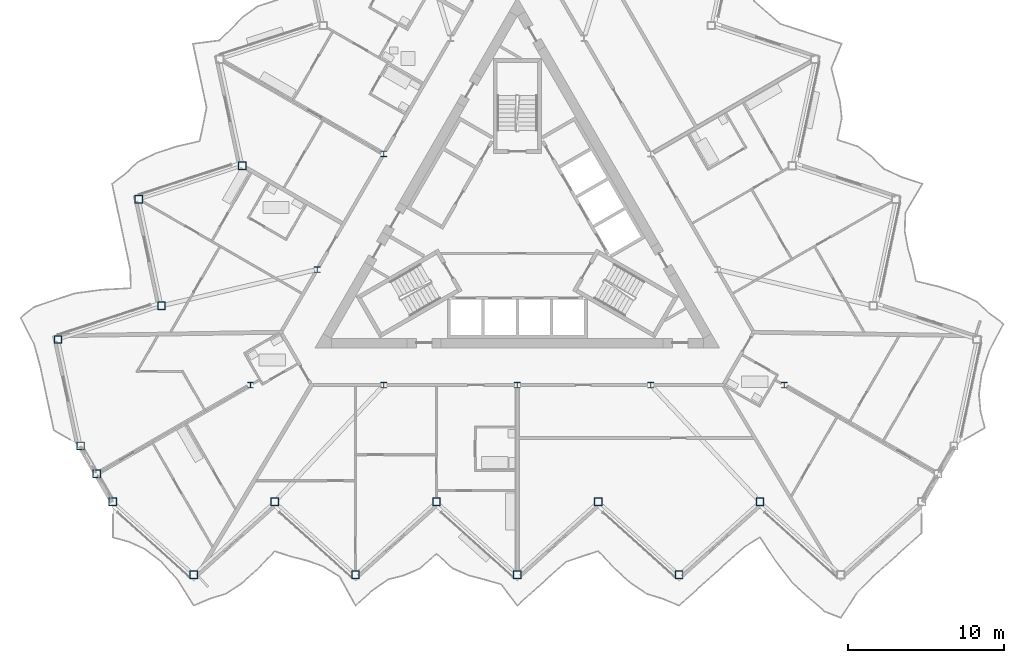
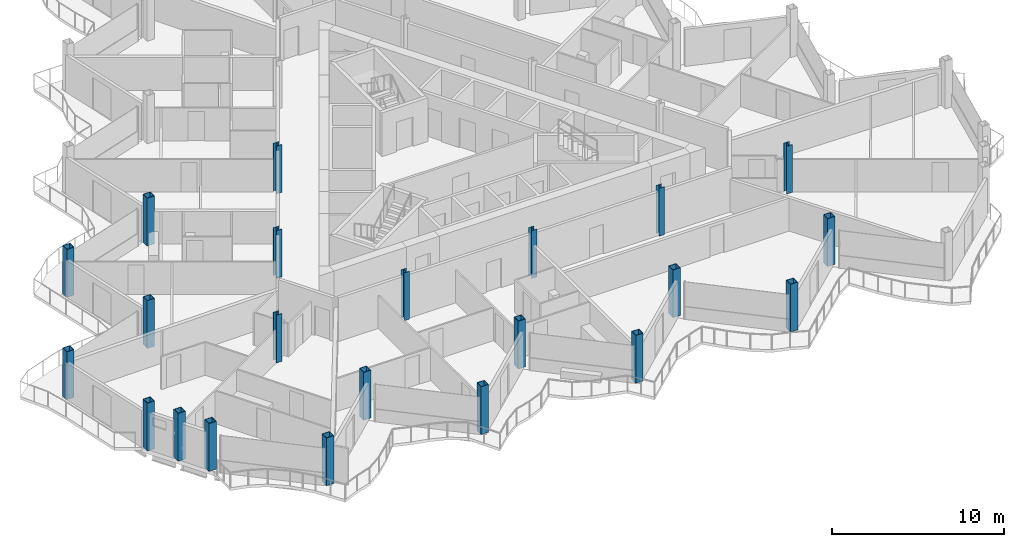
# One storey, part 1 of 26: 22 columns.
"""IFC4 building model written with IfcOpenShell, lengths in metres."""

from ifc_helpers import new_model, si_unit, direction, frame, origin, origin_2d, place, context, subcontext, project, spatial, hollow_rectangle, i_section, extrude, material, material_profile, profile_set, type_object, element, save


model = new_model("IFC4")

# Units and contexts
model_context = context("Model", 3, precision=1e-05, world=origin(), true_north=direction((0.0, 1.0)))
body_context = subcontext(model_context, "Body", "Model", "MODEL_VIEW")
ifc_project = project(units=[si_unit("LENGTHUNIT", "METRE"), si_unit("AREAUNIT", "SQUARE_METRE"), si_unit("VOLUMEUNIT", "CUBIC_METRE"), si_unit("PLANEANGLEUNIT", "RADIAN"), si_unit("MASSUNIT", "GRAM", prefix="KILO")], contexts=[model_context])

# Site, building, storey
site_placement = place(None, origin())
site = spatial("IfcSite", under=ifc_project, at=site_placement, CompositionType="ELEMENT")
building_placement = place(site_placement, origin())
building = spatial("IfcBuilding", under=site, at=building_placement, Name="Cormorant Prow Tower", CompositionType="ELEMENT")
storey_placement = place(building_placement, frame((0.0, 0.0, 381.39990234375)))
storey = spatial("IfcBuildingStorey", under=building, at=storey_placement, Name="L86", CompositionType="ELEMENT", Elevation=381.39990234375)

# Columns
ifc_material_1 = material(Name="Structural steel ASTM A572 Gr 50", Category="steel")
ifc_material_profile_1 = material_profile(ifc_material_1, hollow_rectangle(XDim=0.5, YDim=0.5, WallThickness=0.030029296875, at=origin_2d()), Name="Box 500x500x30")
ifc_profile_set_1 = profile_set([ifc_material_profile_1], Name="Structural steel ASTM A572 Gr 50")
column_type_1 = type_object("IfcColumnType", Name="Perimeter box column 500x500x30", PredefinedType="COLUMN", material=ifc_profile_set_1)
for number, where, z_axis, x_axis, name in (
    (1, (-26.0, -17.40576171875, 0.0), (0.0, 0.0, 1.0), (1.0, 0.0, 0.0), "Perimeter column C7 at S00 L86"),
    (2, (-20.800048828125, -22.087890625, 0.0), (0.0, 0.0, 1.0), (1.0, 0.0, 0.0), "Perimeter column C7 at S01 L86"),
    (3, (-15.60009765625, -17.40576171875, 0.0), (0.0, 0.0, 1.0), (1.0, 0.0, 0.0), "Perimeter column C7 at S02 L86"),
    (4, (-10.39990234375, -22.087890625, 0.0), (0.0, 0.0, 1.0), (1.0, 0.0, 0.0), "Perimeter column C7 at S03 L86"),
    (5, (-5.199951171875, -17.40576171875, 0.0), (0.0, 0.0, 1.0), (1.0, 0.0, 0.0), "Perimeter column C7 at S04 L86"),
    (6, (0.0, -22.087890625, 0.0), (0.0, 0.0, 1.0), (1.0, 0.0, 0.0), "Perimeter column C7 at S05 L86"),
    (7, (5.199951171875, -17.40576171875, 0.0), (0.0, 0.0, 1.0), (1.0, 0.0, 0.0), "Perimeter column C7 at S06 L86"),
    (8, (10.39990234375, -22.087890625, 0.0), (0.0, 0.0, 1.0), (1.0, 0.0, 0.0), "Perimeter column C7 at S07 L86"),
    (9, (15.60009765625, -17.40576171875, 0.0), (0.0, 0.0, 1.0), (1.0, 0.0, 0.0), "Perimeter column C7 at S08 L86"),
    (10, (-17.673828125, 4.199462890625, 0.0), (0.0, 0.0, 1.0), (1.0, 0.0, 0.0), "Perimeter column C7 at WNW06 L86"),
    (11, (-24.32861328125, 2.037353515625, 0.0), (0.0, 0.0, 1.0), (1.0, 0.0, 0.0), "Perimeter column C7 at WNW07 L86"),
    (12, (-22.873779296875, -4.80712890625, 0.0), (0.0, 0.0, 1.0), (1.0, 0.0, 0.0), "Perimeter column C7 at WNW08 L86"),
    (13, (-29.528564453125, -6.969482421875, 0.0), (0.0, 0.0, 1.0), (1.0, 0.0, 0.0), "Perimeter column C7 at WNW09 L86"),
    (14, (-28.07373046875, -13.813720703125, 0.0), (0.0, 0.0, 1.0), (1.0, 0.0, 0.0), "Perimeter column C7 at WSW00 L86"),
    (15, (-27.036865234375, -15.60986328125, 0.0), (0.0, 0.0, 1.0), (1.0, 0.0, 0.0), "Perimeter column C7 at WSW01 L86"),
):
    element("IfcColumn", number, at=place(storey_placement, frame(where, z_axis=z_axis, x_axis=x_axis)), inside=storey, type_object=column_type_1, Name=name, PredefinedType="COLUMN", context=body_context, shape_type="SweptSolid", body=[
        extrude(hollow_rectangle(XDim=0.5, YDim=0.5, WallThickness=0.030029296875, at=origin_2d()), origin(), (0.0, 0.0, 1.0), 3.400146484375),
    ])
ifc_material_2 = material(Name="Structural steel ASTM A992 Gr 50", Category="steel")
ifc_material_profile_2 = material_profile(ifc_material_2, i_section(OverallWidth=0.3740234375, OverallDepth=0.372314453125, WebThickness=0.016357421875, FlangeThickness=0.026123046875, at=origin_2d()), Name="W14x132")
ifc_profile_set_2 = profile_set([ifc_material_profile_2], Name="Structural steel ASTM A992 Gr 50")
column_type_2 = type_object("IfcColumnType", Name="Ring column W14x132", PredefinedType="COLUMN", material=ifc_profile_set_2)
for number, where, z_axis, x_axis, name in (
    (16, (-8.578369140625, 4.952880859375, 0.0), (0.0, 0.0, 1.0), (1.0, 0.0, 0.0), "Ring column 3 L86"),
    (17, (-12.86767578125, -2.476318359375, 0.0), (0.0, 0.0, 1.0), (1.0, 0.0, 0.0), "Ring column 4 L86"),
    (18, (-17.156982421875, -9.905517578125, 0.0), (0.0, 0.0, 1.0), (1.0, 0.0, 0.0), "Ring column 5 L86"),
    (19, (-8.578369140625, -9.905517578125, 0.0), (0.0, 0.0, 1.0), (1.0, 0.0, 0.0), "Ring column 6 L86"),
    (20, (0.0, -9.905517578125, 0.0), (0.0, 0.0, 1.0), (1.0, 0.0, 0.0), "Ring column 7 L86"),
    (21, (8.578369140625, -9.905517578125, 0.0), (0.0, 0.0, 1.0), (1.0, 0.0, 0.0), "Ring column 8 L86"),
    (22, (17.156982421875, -9.905517578125, 0.0), (0.0, 0.0, 1.0), (1.0, 0.0, 0.0), "Ring column 9 L86"),
):
    element("IfcColumn", number, at=place(storey_placement, frame(where, z_axis=z_axis, x_axis=x_axis)), inside=storey, type_object=column_type_2, Name=name, PredefinedType="COLUMN", context=body_context, shape_type="SweptSolid", body=[
        extrude(i_section(OverallWidth=0.3740234375, OverallDepth=0.372314453125, WebThickness=0.016357421875, FlangeThickness=0.026123046875, at=origin_2d()), origin(), (0.0, 0.0, 1.0), 3.400146484375),
    ])

save(model, "model.ifc")
